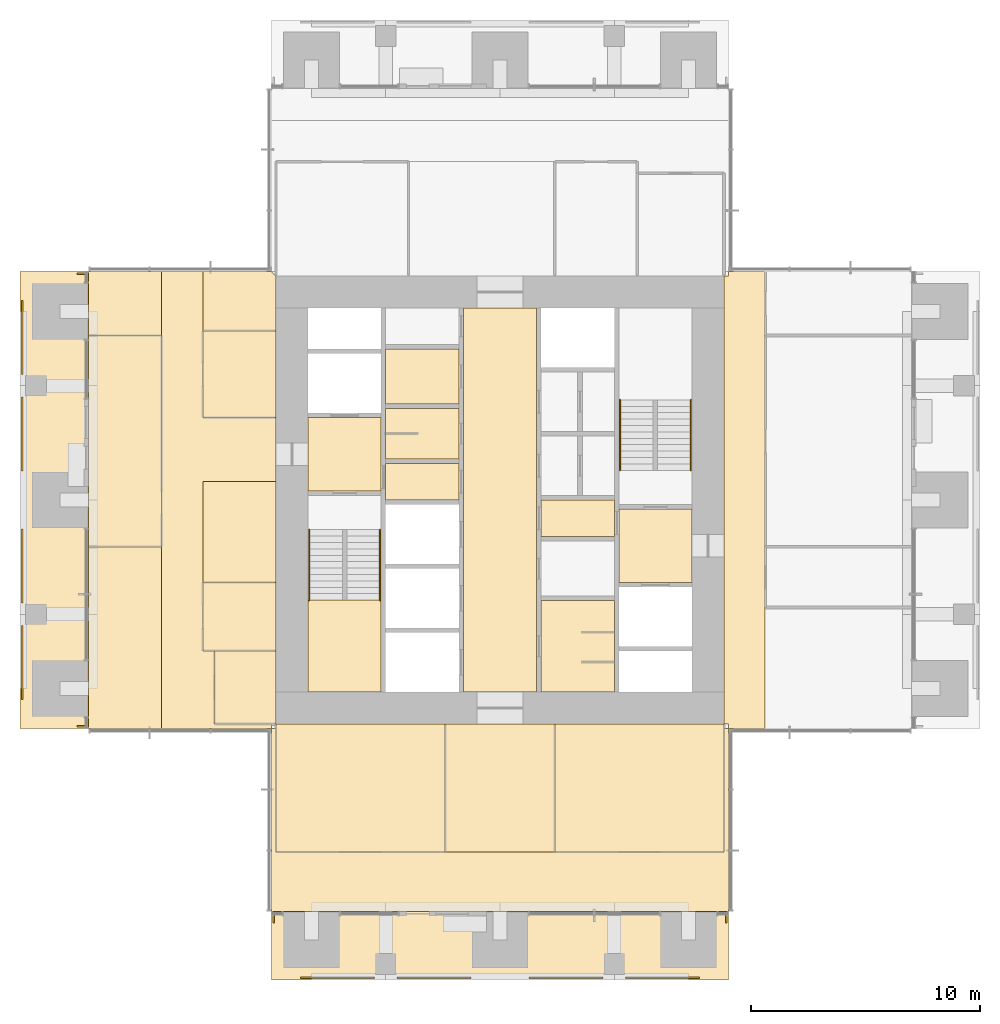
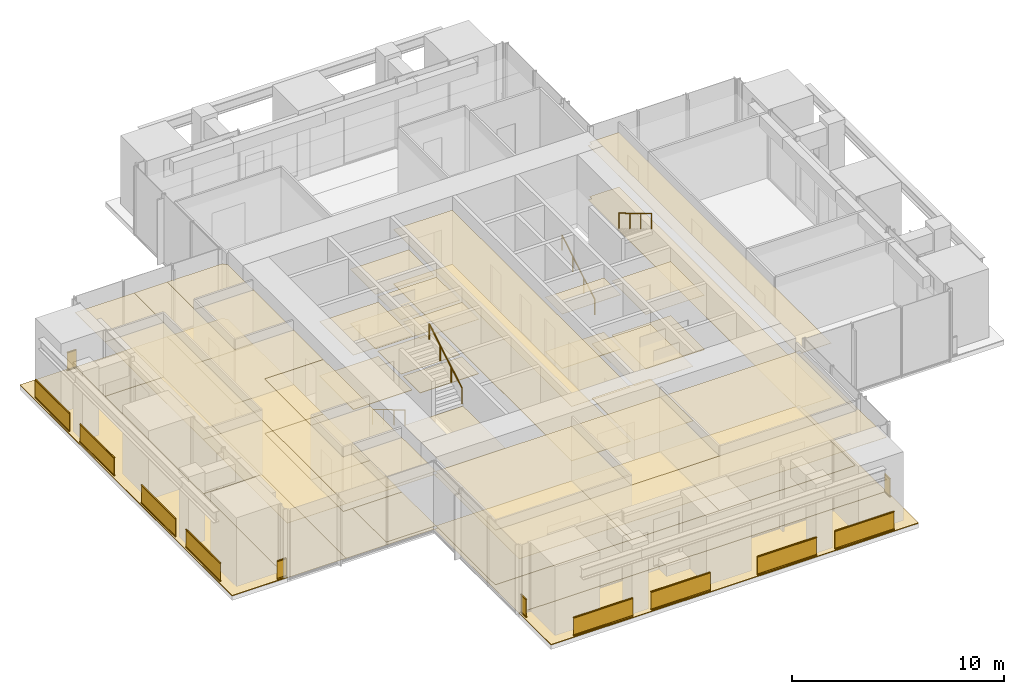
# One storey, part 15 of 17: 47 coverings, 16 railings.
"""IFC4 building model written with IfcOpenShell, lengths in metres."""

from ifc_helpers import new_model, si_unit, direction, frame, origin, origin_2d, place, context, subcontext, project, spatial, polyline, rectangle, circle, outline, extrude, material, layer, layer_set, type_object, element, save


model = new_model("IFC4")

# Units and contexts
model_context = context("Model", 3, precision=1e-05, world=origin(), true_north=direction((0.0, 1.0)))
body_context = subcontext(model_context, "Body", "Model", "MODEL_VIEW")
ifc_project = project(units=[si_unit("LENGTHUNIT", "METRE"), si_unit("AREAUNIT", "SQUARE_METRE"), si_unit("VOLUMEUNIT", "CUBIC_METRE"), si_unit("PLANEANGLEUNIT", "RADIAN"), si_unit("MASSUNIT", "GRAM", prefix="KILO")], contexts=[model_context])

# Site, building, storey
site_placement = place(None, origin())
site = spatial("IfcSite", under=ifc_project, at=site_placement, CompositionType="ELEMENT")
building_placement = place(site_placement, origin())
building = spatial("IfcBuilding", under=site, at=building_placement, Name="Svetlomir Tower", CompositionType="ELEMENT")
storey_placement = place(building_placement, frame((0.0, 0.0, 214.5)))
storey = spatial("IfcBuildingStorey", under=building, at=storey_placement, Name="L51", CompositionType="ELEMENT", Elevation=214.5)

# Railings
ifc_material_1 = material(Name="Bronze anodised aluminium and laminated glass", Category="aluminium")
railing_type_1 = type_object("IfcRailingType", Name="BALCONY GUARD GR1 1100", PredefinedType="GUARDRAIL", material=ifc_material_1)
for number, where, name in (
    (1, (12.27490234375, 0.10009765625, 0.0), "Loggia guard S L51 bay 1"),
    (2, (16.5, 0.10009765625, 0.0), "Loggia guard S L51 bay 2"),
    (3, (22.27490234375, 0.10009765625, 0.0), "Loggia guard S L51 bay 3"),
    (4, (26.5, 0.10009765625, 0.0), "Loggia guard S L51 bay 4"),
):
    element("IfcRailing", number, at=place(storey_placement, frame(where)), inside=storey, type_object=railing_type_1, Name=name, PredefinedType="GUARDRAIL", context=body_context, shape_type="SweptSolid", body=[
        extrude(rectangle(XDim=0.06005859375, YDim=0.10009765625, at=origin_2d()), frame((0.0, 0.0, 0.050048828125), z_axis=(1.0, 0.0, 0.0), x_axis=(0.0, 1.0, 0.0)), (0.0, 0.0, 1.0), 3.22509765625),
        extrude(rectangle(XDim=0.021484375, YDim=0.960205078125, at=origin_2d()), frame((0.0, 0.0, 0.580078125), z_axis=(1.0, 0.0, 0.0), x_axis=(0.0, 1.0, 0.0)), (0.0, 0.0, 1.0), 3.22509765625),
        extrude(rectangle(XDim=0.06005859375, YDim=0.0400390625, at=origin_2d()), frame((0.0, 0.0, 1.080078125), z_axis=(1.0, 0.0, 0.0), x_axis=(0.0, 1.0, 0.0)), (0.0, 0.0, 1.0), 3.22509765625),
    ])
for number, where, name in (
    (5, (11.10009765625, 2.5, 0.0), "Loggia guard S L51 end 1"),
    (6, (30.89990234375, 2.5, 0.0), "Loggia guard S L51 end 2"),
):
    element("IfcRailing", number, at=place(storey_placement, frame(where)), inside=storey, type_object=railing_type_1, Name=name, PredefinedType="GUARDRAIL", context=body_context, shape_type="SweptSolid", body=[
        extrude(rectangle(XDim=0.06005859375, YDim=0.10009765625, at=origin_2d()), frame((0.0, 0.0, 0.050048828125), z_axis=(0.0, 1.0, 0.0), x_axis=(-1.0, 0.0, 0.0)), (0.0, 0.0, 1.0), 0.5),
        extrude(rectangle(XDim=0.021484375, YDim=0.960205078125, at=origin_2d()), frame((0.0, 0.0, 0.580078125), z_axis=(0.0, 1.0, 0.0), x_axis=(-1.0, 0.0, 0.0)), (0.0, 0.0, 1.0), 0.5),
        extrude(rectangle(XDim=0.06005859375, YDim=0.0400390625, at=origin_2d()), frame((0.0, 0.0, 1.080078125), z_axis=(0.0, 1.0, 0.0), x_axis=(-1.0, 0.0, 0.0)), (0.0, 0.0, 1.0), 0.5),
    ])
for number, where, name in (
    (7, (0.10009765625, 12.27490234375, 0.0), "Loggia guard W L51 bay 1"),
    (8, (0.10009765625, 16.5, 0.0), "Loggia guard W L51 bay 2"),
    (9, (0.10009765625, 22.27490234375, 0.0), "Loggia guard W L51 bay 3"),
    (10, (0.10009765625, 26.5, 0.0), "Loggia guard W L51 bay 4"),
):
    element("IfcRailing", number, at=place(storey_placement, frame(where)), inside=storey, type_object=railing_type_1, Name=name, PredefinedType="GUARDRAIL", context=body_context, shape_type="SweptSolid", body=[
        extrude(rectangle(XDim=0.06005859375, YDim=0.10009765625, at=origin_2d()), frame((0.0, 0.0, 0.050048828125), z_axis=(0.0, 1.0, 0.0), x_axis=(-1.0, 0.0, 0.0)), (0.0, 0.0, 1.0), 3.22509765625),
        extrude(rectangle(XDim=0.021484375, YDim=0.960205078125, at=origin_2d()), frame((0.0, 0.0, 0.580078125), z_axis=(0.0, 1.0, 0.0), x_axis=(-1.0, 0.0, 0.0)), (0.0, 0.0, 1.0), 3.22509765625),
        extrude(rectangle(XDim=0.06005859375, YDim=0.0400390625, at=origin_2d()), frame((0.0, 0.0, 1.080078125), z_axis=(0.0, 1.0, 0.0), x_axis=(-1.0, 0.0, 0.0)), (0.0, 0.0, 1.0), 3.22509765625),
    ])
for number, where, name in (
    (11, (2.5, 11.10009765625, 0.0), "Loggia guard W L51 end 1"),
    (12, (2.5, 30.89990234375, 0.0), "Loggia guard W L51 end 2"),
):
    element("IfcRailing", number, at=place(storey_placement, frame(where)), inside=storey, type_object=railing_type_1, Name=name, PredefinedType="GUARDRAIL", context=body_context, shape_type="SweptSolid", body=[
        extrude(rectangle(XDim=0.06005859375, YDim=0.10009765625, at=origin_2d()), frame((0.0, 0.0, 0.050048828125), z_axis=(1.0, 0.0, 0.0), x_axis=(0.0, 1.0, 0.0)), (0.0, 0.0, 1.0), 0.5),
        extrude(rectangle(XDim=0.021484375, YDim=0.960205078125, at=origin_2d()), frame((0.0, 0.0, 0.580078125), z_axis=(1.0, 0.0, 0.0), x_axis=(0.0, 1.0, 0.0)), (0.0, 0.0, 1.0), 0.5),
        extrude(rectangle(XDim=0.06005859375, YDim=0.0400390625, at=origin_2d()), frame((0.0, 0.0, 1.080078125), z_axis=(1.0, 0.0, 0.0), x_axis=(0.0, 1.0, 0.0)), (0.0, 0.0, 1.0), 0.5),
    ])

# Coverings
ifc_material_2 = material(Name="Granite paving slabs on pedestals", Category="masonry")
ifc_layer_1 = layer(ifc_material_2, 0.0400390625)
ifc_layer_set_1 = layer_set([ifc_layer_1], Name="Granite paving slabs on pedestals")
covering_type_1 = type_object("IfcCoveringType", Name="BALCONY PAVING 40", PredefinedType="USERDEFINED", material=ifc_layer_set_1)
covering_1_placement = place(storey_placement, origin())
element("IfcCovering", 13, at=covering_1_placement, inside=storey, type_object=covering_type_1, Name="Loggia paving S L51", ObjectType="BALCONY PAVING", PredefinedType="USERDEFINED", context=body_context, shape_type="SweptSolid", body=[
    extrude(outline(polyline([(11.0, 0.0), (31.0, 0.0), (31.0, 3.0), (11.0, 3.0), (11.0, 0.0)])), origin(), (0.0, 0.0, 1.0), 0.0400390625),
])
covering_2_placement = place(storey_placement, origin())
element("IfcCovering", 14, at=covering_2_placement, inside=storey, type_object=covering_type_1, Name="Loggia paving W L51", ObjectType="BALCONY PAVING", PredefinedType="USERDEFINED", context=body_context, shape_type="SweptSolid", body=[
    extrude(outline(polyline([(0.0, 11.0), (3.0, 11.0), (3.0, 31.0), (0.0, 31.0), (0.0, 11.0)])), origin(), (0.0, 0.0, 1.0), 0.0400390625),
])
ifc_material_3 = material(Name="Carpet tile", Category="textile")
ifc_layer_2 = layer(ifc_material_3, 0.010009765625)
ifc_layer_set_2 = layer_set([ifc_layer_2], Name="Carpet tile")
covering_type_2 = type_object("IfcCoveringType", Name="CARPET TILE FLOOR 10", PredefinedType="FLOORING", material=ifc_layer_set_2)
covering_3_placement = place(storey_placement, origin())
element("IfcCovering", 15, at=covering_3_placement, inside=storey, type_object=covering_type_2, Name="Floor finish L51-17", PredefinedType="FLOORING", context=body_context, shape_type="SweptSolid", body=[
    extrude(outline(polyline([(11.199951171875, 5.60009765625), (18.60009765625, 5.60009765625), (18.60009765625, 11.199951171875), (11.199951171875, 11.199951171875), (11.199951171875, 5.60009765625)])), origin(), (0.0, 0.0, 1.0), 0.010009765625),
])
covering_4_placement = place(storey_placement, origin())
element("IfcCovering", 16, at=covering_4_placement, inside=storey, type_object=covering_type_2, Name="Floor finish L51-18", PredefinedType="FLOORING", context=body_context, shape_type="SweptSolid", body=[
    extrude(outline(polyline([(23.39990234375, 5.60009765625), (30.800048828125, 5.60009765625), (30.800048828125, 11.199951171875), (23.39990234375, 11.199951171875), (23.39990234375, 5.60009765625)])), origin(), (0.0, 0.0, 1.0), 0.010009765625),
])
covering_5_placement = place(storey_placement, origin())
element("IfcCovering", 17, at=covering_5_placement, inside=storey, type_object=covering_type_2, Name="Floor finish L51-25", PredefinedType="FLOORING", context=body_context, shape_type="SweptSolid", body=[
    extrude(outline(polyline([(8.5, 11.199951171875), (11.199951171875, 11.199951171875), (11.199951171875, 14.39990234375), (8.5, 14.39990234375), (8.5, 11.199951171875)])), origin(), (0.0, 0.0, 1.0), 0.010009765625),
])
covering_6_placement = place(storey_placement, origin())
element("IfcCovering", 18, at=covering_6_placement, inside=storey, type_object=covering_type_2, Name="Floor finish L51-26", PredefinedType="FLOORING", context=body_context, shape_type="SweptSolid", body=[
    extrude(outline(polyline([(8.0, 14.39990234375), (11.199951171875, 14.39990234375), (11.199951171875, 17.39990234375), (8.0, 17.39990234375), (8.0, 14.39990234375)])), origin(), (0.0, 0.0, 1.0), 0.010009765625),
])
covering_7_placement = place(storey_placement, origin())
element("IfcCovering", 19, at=covering_7_placement, inside=storey, type_object=covering_type_2, Name="Floor finish L51-27", PredefinedType="FLOORING", context=body_context, shape_type="SweptSolid", body=[
    extrude(outline(polyline([(8.0, 24.60009765625), (11.199951171875, 24.60009765625), (11.199951171875, 28.39990234375), (8.0, 28.39990234375), (8.0, 24.60009765625)])), origin(), (0.0, 0.0, 1.0), 0.010009765625),
])
covering_8_placement = place(storey_placement, origin())
element("IfcCovering", 20, at=covering_8_placement, inside=storey, type_object=covering_type_2, Name="Floor finish L51-28", PredefinedType="FLOORING", context=body_context, shape_type="SweptSolid", body=[
    extrude(outline(polyline([(3.0, 18.949951171875), (6.199951171875, 18.949951171875), (6.199951171875, 28.199951171875), (3.0, 28.199951171875), (3.0, 18.949951171875)])), origin(), (0.0, 0.0, 1.0), 0.010009765625),
])
covering_9_placement = place(storey_placement, origin())
element("IfcCovering", 21, at=covering_9_placement, inside=storey, type_object=covering_type_2, Name="Floor finish L51-29", PredefinedType="FLOORING", context=body_context, shape_type="SweptSolid", body=[
    extrude(outline(polyline([(6.199951171875, 11.0), (6.199951171875, 31.0), (8.0, 31.0), (8.0, 24.60009765625), (11.199951171875, 24.60009765625), (11.199951171875, 21.800048828125), (8.0, 21.800048828125), (8.0, 14.39990234375), (8.5, 14.39990234375), (8.5, 11.199951171875), (11.0, 11.199951171875), (11.0, 11.0), (6.199951171875, 11.0)])), origin(), (0.0, 0.0, 1.0), 0.010009765625),
])
covering_10_placement = place(storey_placement, origin())
element("IfcCovering", 22, at=covering_10_placement, inside=storey, type_object=covering_type_2, Name="Floor finish L51-30", PredefinedType="FLOORING", context=body_context, shape_type="SweptSolid", body=[
    extrude(outline(polyline([(11.199951171875, 5.60009765625), (30.800048828125, 5.60009765625), (30.800048828125, 11.0), (31.0, 11.0), (31.0, 3.0), (11.0, 3.0), (11.0, 11.0), (11.199951171875, 11.0), (11.199951171875, 5.60009765625)])), origin(), (0.0, 0.0, 1.0), 0.010009765625),
])
covering_11_placement = place(storey_placement, origin())
element("IfcCovering", 23, at=covering_11_placement, inside=storey, type_object=covering_type_2, Name="Floor finish L51-31", PredefinedType="FLOORING", context=body_context, shape_type="SweptSolid", body=[
    extrude(outline(polyline([(30.800048828125, 11.199951171875), (30.800048828125, 30.800048828125), (31.0, 30.800048828125), (31.0, 31.0), (32.60009765625, 31.0), (32.60009765625, 11.0), (31.0, 11.0), (31.0, 11.199951171875), (30.800048828125, 11.199951171875)])), origin(), (0.0, 0.0, 1.0), 0.010009765625),
])
covering_12_placement = place(storey_placement, origin())
element("IfcCovering", 24, at=covering_12_placement, inside=storey, type_object=covering_type_2, Name="Floor finish L51-33", PredefinedType="FLOORING", context=body_context, shape_type="SweptSolid", body=[
    extrude(outline(polyline([(23.39990234375, 11.199951171875), (23.39990234375, 5.60009765625), (18.60009765625, 5.60009765625), (18.60009765625, 11.199951171875), (23.39990234375, 11.199951171875)])), origin(), (0.0, 0.0, 1.0), 0.010009765625),
])
covering_13_placement = place(storey_placement, origin())
element("IfcCovering", 25, at=covering_13_placement, inside=storey, type_object=covering_type_2, Name="Floor finish L51-37", PredefinedType="FLOORING", context=body_context, shape_type="SweptSolid", body=[
    extrude(outline(polyline([(3.0, 18.949951171875), (6.199951171875, 18.949951171875), (6.199951171875, 11.0), (3.0, 11.0), (3.0, 18.949951171875)])), origin(), (0.0, 0.0, 1.0), 0.010009765625),
])
covering_14_placement = place(storey_placement, origin())
element("IfcCovering", 26, at=covering_14_placement, inside=storey, type_object=covering_type_2, Name="Floor finish L51-38", PredefinedType="FLOORING", context=body_context, shape_type="SweptSolid", body=[
    extrude(outline(polyline([(3.0, 31.0), (6.199951171875, 31.0), (6.199951171875, 28.199951171875), (3.0, 28.199951171875), (3.0, 31.0)])), origin(), (0.0, 0.0, 1.0), 0.010009765625),
])
covering_15_placement = place(storey_placement, origin())
element("IfcCovering", 27, at=covering_15_placement, inside=storey, type_object=covering_type_2, Name="Floor finish L51-39", PredefinedType="FLOORING", context=body_context, shape_type="SweptSolid", body=[
    extrude(outline(polyline([(11.199951171875, 28.39990234375), (8.0, 28.39990234375), (8.0, 31.0), (11.0, 31.0), (11.199951171875, 30.800048828125), (11.199951171875, 28.39990234375)])), origin(), (0.0, 0.0, 1.0), 0.010009765625),
])
covering_16_placement = place(storey_placement, origin())
element("IfcCovering", 28, at=covering_16_placement, inside=storey, type_object=covering_type_2, Name="Floor finish L51-40", PredefinedType="FLOORING", context=body_context, shape_type="SweptSolid", body=[
    extrude(outline(polyline([(8.0, 17.39990234375), (8.0, 21.800048828125), (11.199951171875, 21.800048828125), (11.199951171875, 17.39990234375), (8.0, 17.39990234375)])), origin(), (0.0, 0.0, 1.0), 0.010009765625),
])
ifc_material_4 = material(Name="Ceramic floor tile", Category="ceramic")
ifc_layer_3 = layer(ifc_material_4, 0.014892578125)
ifc_layer_set_3 = layer_set([ifc_layer_3], Name="Ceramic floor tile")
covering_type_3 = type_object("IfcCoveringType", Name="CERAMIC TILE FLOOR 15", PredefinedType="FLOORING", material=ifc_layer_set_3)
covering_17_placement = place(storey_placement, origin())
element("IfcCovering", 29, at=covering_17_placement, inside=storey, type_object=covering_type_3, Name="Floor finish L51-04", PredefinedType="FLOORING", context=body_context, shape_type="SweptSolid", body=[
    extrude(outline(polyline([(16.0, 22.800048828125), (19.199951171875, 22.800048828125), (19.199951171875, 25.0), (16.0, 25.0), (16.0, 22.800048828125)])), origin(), (0.0, 0.0, 1.0), 0.014892578125),
])
covering_18_placement = place(storey_placement, origin())
element("IfcCovering", 30, at=covering_18_placement, inside=storey, type_object=covering_type_3, Name="Floor finish L51-05", PredefinedType="FLOORING", context=body_context, shape_type="SweptSolid", body=[
    extrude(outline(polyline([(16.0, 25.199951171875), (19.199951171875, 25.199951171875), (19.199951171875, 27.60009765625), (16.0, 27.60009765625), (16.0, 25.199951171875)])), origin(), (0.0, 0.0, 1.0), 0.014892578125),
])
covering_19_placement = place(storey_placement, origin())
element("IfcCovering", 31, at=covering_19_placement, inside=storey, type_object=covering_type_3, Name="Floor finish L51-08", PredefinedType="FLOORING", context=body_context, shape_type="SweptSolid", body=[
    extrude(outline(polyline([(22.800048828125, 12.60009765625), (26.0, 12.60009765625), (26.0, 16.60009765625), (22.800048828125, 16.60009765625), (22.800048828125, 12.60009765625)])), origin(), (0.0, 0.0, 1.0), 0.014892578125),
])

# Railings
ifc_material_5 = material(Name="Stainless steel", Category="steel")
railing_type_2 = type_object("IfcRailingType", Name="HANDRAIL HR1 900", PredefinedType="HANDRAIL", material=ifc_material_5)
railing_1_placement = place(storey_placement, frame((12.64990234375, 19.699951171875, 0.166748046875)))
element("IfcRailing", 32, at=railing_1_placement, inside=storey, type_object=railing_type_2, Name="Handrail S1 flight 1 L51", PredefinedType="HANDRAIL", context=body_context, shape_type="SweptSolid", body=[
    extrude(circle(Radius=0.02392578125, at=origin_2d()), frame((0.0, 0.0, 0.8759765625), z_axis=(0.0, -0.859290745958, 0.51148745235), x_axis=(1.0, 0.0, 0.0)), (0.0, 0.0, 1.0), 3.584228515625),
    extrude(circle(Radius=0.02099609375, at=origin_2d()), origin(), (0.0, 0.0, 1.0), 0.851806640625),
    extrude(circle(Radius=0.02099609375, at=origin_2d()), frame((0.0, -1.026611328125, 0.611083984375)), (0.0, 0.0, 1.0), 0.851806640625),
    extrude(circle(Radius=0.02099609375, at=origin_2d()), frame((0.0, -2.05322265625, 1.22216796875)), (0.0, 0.0, 1.0), 0.851806640625),
    extrude(circle(Radius=0.02099609375, at=origin_2d()), frame((0.0, -3.079833984375, 1.833251953125)), (0.0, 0.0, 1.0), 0.851806640625),
])
for number, where, name in (
    (33, (15.75, 16.6201171875, 2.166748046875), "Handrail S1 flight 2 L51"),
    (34, (26.25, 22.300048828125, 0.166748046875), "Handrail S2 flight 1 L51"),
):
    element("IfcRailing", number, at=place(storey_placement, frame(where)), inside=storey, type_object=railing_type_2, Name=name, PredefinedType="HANDRAIL", context=body_context, shape_type="SweptSolid", body=[
        extrude(circle(Radius=0.02392578125, at=origin_2d()), frame((0.0, 0.0, 0.8759765625), z_axis=(0.0, 0.859290745958, 0.51148745235), x_axis=(-1.0, 0.0, 0.0)), (0.0, 0.0, 1.0), 3.584228515625),
        extrude(circle(Radius=0.02099609375, at=origin_2d()), origin(), (0.0, 0.0, 1.0), 0.851806640625),
        extrude(circle(Radius=0.02099609375, at=origin_2d()), frame((0.0, 1.026611328125, 0.611083984375)), (0.0, 0.0, 1.0), 0.851806640625),
        extrude(circle(Radius=0.02099609375, at=origin_2d()), frame((0.0, 2.05322265625, 1.22216796875)), (0.0, 0.0, 1.0), 0.851806640625),
        extrude(circle(Radius=0.02099609375, at=origin_2d()), frame((0.0, 3.079833984375, 1.833251953125)), (0.0, 0.0, 1.0), 0.851806640625),
    ])
railing_2_placement = place(storey_placement, frame((29.35009765625, 25.3798828125, 2.166748046875)))
element("IfcRailing", 35, at=railing_2_placement, inside=storey, type_object=railing_type_2, Name="Handrail S2 flight 2 L51", PredefinedType="HANDRAIL", context=body_context, shape_type="SweptSolid", body=[
    extrude(circle(Radius=0.02392578125, at=origin_2d()), frame((0.0, 0.0, 0.8759765625), z_axis=(0.0, -0.859290745958, 0.51148745235), x_axis=(1.0, 0.0, 0.0)), (0.0, 0.0, 1.0), 3.584228515625),
    extrude(circle(Radius=0.02099609375, at=origin_2d()), origin(), (0.0, 0.0, 1.0), 0.851806640625),
    extrude(circle(Radius=0.02099609375, at=origin_2d()), frame((0.0, -1.026611328125, 0.611083984375)), (0.0, 0.0, 1.0), 0.851806640625),
    extrude(circle(Radius=0.02099609375, at=origin_2d()), frame((0.0, -2.05322265625, 1.22216796875)), (0.0, 0.0, 1.0), 0.851806640625),
    extrude(circle(Radius=0.02099609375, at=origin_2d()), frame((0.0, -3.079833984375, 1.833251953125)), (0.0, 0.0, 1.0), 0.851806640625),
])

# Coverings
ifc_material_6 = material(Name="Moisture resistant plasterboard ceiling", Category="gypsum")
ifc_layer_4 = layer(ifc_material_6, 0.012451171875)
ifc_layer_set_4 = layer_set([ifc_layer_4], Name="Moisture resistant plasterboard ceiling")
covering_type_4 = type_object("IfcCoveringType", Name="MOISTURE RESISTANT CEILING 12.5", PredefinedType="CEILING", material=ifc_layer_set_4)
covering_20_placement = place(storey_placement, frame((0.0, 0.0, 3.137451171875)))
element("IfcCovering", 36, at=covering_20_placement, inside=storey, type_object=covering_type_4, Name="Ceiling L51-04", PredefinedType="CEILING", context=body_context, shape_type="SweptSolid", body=[
    extrude(outline(polyline([(16.0, 22.800048828125), (19.199951171875, 22.800048828125), (19.199951171875, 25.0), (16.0, 25.0), (16.0, 22.800048828125)])), origin(), (0.0, 0.0, 1.0), 0.012451171875),
])
covering_21_placement = place(storey_placement, frame((0.0, 0.0, 3.137451171875)))
element("IfcCovering", 37, at=covering_21_placement, inside=storey, type_object=covering_type_4, Name="Ceiling L51-05", PredefinedType="CEILING", context=body_context, shape_type="SweptSolid", body=[
    extrude(outline(polyline([(16.0, 25.199951171875), (19.199951171875, 25.199951171875), (19.199951171875, 27.60009765625), (16.0, 27.60009765625), (16.0, 25.199951171875)])), origin(), (0.0, 0.0, 1.0), 0.012451171875),
])
covering_22_placement = place(storey_placement, frame((0.0, 0.0, 3.137451171875)))
element("IfcCovering", 38, at=covering_22_placement, inside=storey, type_object=covering_type_4, Name="Ceiling L51-08", PredefinedType="CEILING", context=body_context, shape_type="SweptSolid", body=[
    extrude(outline(polyline([(22.800048828125, 12.60009765625), (26.0, 12.60009765625), (26.0, 16.60009765625), (22.800048828125, 16.60009765625), (22.800048828125, 12.60009765625)])), origin(), (0.0, 0.0, 1.0), 0.012451171875),
])
ifc_material_7 = material(Name="Gypsum plasterboard ceiling", Category="gypsum")
ifc_layer_5 = layer(ifc_material_7, 0.014892578125)
ifc_layer_set_5 = layer_set([ifc_layer_5], Name="Gypsum plasterboard ceiling")
covering_type_5 = type_object("IfcCoveringType", Name="PLASTERBOARD CEILING 15", PredefinedType="CEILING", material=ifc_layer_set_5)
covering_23_placement = place(storey_placement, frame((0.0, 0.0, 3.135009765625)))
element("IfcCovering", 39, at=covering_23_placement, inside=storey, type_object=covering_type_5, Name="Ceiling L51-02", PredefinedType="CEILING", context=body_context, shape_type="SweptSolid", body=[
    extrude(outline(polyline([(12.60009765625, 21.39990234375), (15.800048828125, 21.39990234375), (15.800048828125, 24.60009765625), (12.60009765625, 24.60009765625), (12.60009765625, 21.39990234375)])), origin(), (0.0, 0.0, 1.0), 0.014892578125),
])
covering_24_placement = place(storey_placement, frame((0.0, 0.0, 3.135009765625)))
element("IfcCovering", 40, at=covering_24_placement, inside=storey, type_object=covering_type_5, Name="Ceiling L51-03", PredefinedType="CEILING", context=body_context, shape_type="SweptSolid", body=[
    extrude(outline(polyline([(16.0, 21.0), (19.199951171875, 21.0), (19.199951171875, 22.60009765625), (16.0, 22.60009765625), (16.0, 21.0)])), origin(), (0.0, 0.0, 1.0), 0.014892578125),
])
covering_25_placement = place(storey_placement, frame((0.0, 0.0, 3.135009765625)))
element("IfcCovering", 41, at=covering_25_placement, inside=storey, type_object=covering_type_5, Name="Ceiling L51-07", PredefinedType="CEILING", context=body_context, shape_type="SweptSolid", body=[
    extrude(outline(polyline([(19.39990234375, 12.60009765625), (22.60009765625, 12.60009765625), (22.60009765625, 29.39990234375), (19.39990234375, 29.39990234375), (19.39990234375, 12.60009765625)])), origin(), (0.0, 0.0, 1.0), 0.014892578125),
])
covering_26_placement = place(storey_placement, frame((0.0, 0.0, 3.135009765625)))
element("IfcCovering", 42, at=covering_26_placement, inside=storey, type_object=covering_type_5, Name="Ceiling L51-10", PredefinedType="CEILING", context=body_context, shape_type="SweptSolid", body=[
    extrude(outline(polyline([(22.800048828125, 19.39990234375), (26.0, 19.39990234375), (26.0, 21.0), (22.800048828125, 21.0), (22.800048828125, 19.39990234375)])), origin(), (0.0, 0.0, 1.0), 0.014892578125),
])
covering_27_placement = place(storey_placement, frame((0.0, 0.0, 3.135009765625)))
element("IfcCovering", 43, at=covering_27_placement, inside=storey, type_object=covering_type_5, Name="Ceiling L51-11", PredefinedType="CEILING", context=body_context, shape_type="SweptSolid", body=[
    extrude(outline(polyline([(26.199951171875, 17.39990234375), (29.39990234375, 17.39990234375), (29.39990234375, 20.60009765625), (26.199951171875, 20.60009765625), (26.199951171875, 17.39990234375)])), origin(), (0.0, 0.0, 1.0), 0.014892578125),
])
ifc_material_8 = material(Name="Studded rubber floor finish", Category="rubber")
ifc_layer_6 = layer(ifc_material_8, 0.006103515625)
ifc_layer_set_6 = layer_set([ifc_layer_6], Name="Studded rubber floor finish")
covering_type_6 = type_object("IfcCoveringType", Name="RUBBER LANDING FINISH 6", PredefinedType="FLOORING", material=ifc_layer_set_6)
covering_28_placement = place(storey_placement, frame((0.0, 0.0, 2.0)))
element("IfcCovering", 44, at=covering_28_placement, inside=storey, type_object=covering_type_6, Name="Stair S1 landing finish L51", PredefinedType="FLOORING", context=body_context, shape_type="SweptSolid", body=[
    extrude(outline(polyline([(12.60009765625, 12.60009765625), (15.800048828125, 12.60009765625), (15.800048828125, 16.6201171875), (12.60009765625, 16.6201171875), (12.60009765625, 12.60009765625)])), origin(), (0.0, 0.0, 1.0), 0.006103515625),
])
ifc_material_9 = material(Name="Mineral fibre ceiling tile", Category="mineral")
ifc_layer_7 = layer(ifc_material_9, 0.02001953125)
ifc_layer_set_7 = layer_set([ifc_layer_7], Name="Mineral fibre ceiling tile")
covering_type_7 = type_object("IfcCoveringType", Name="SUSPENDED CEILING 20", PredefinedType="CEILING", material=ifc_layer_set_7)
covering_29_placement = place(storey_placement, frame((0.0, 0.0, 3.1298828125)))
element("IfcCovering", 45, at=covering_29_placement, inside=storey, type_object=covering_type_7, Name="Ceiling L51-17", PredefinedType="CEILING", context=body_context, shape_type="SweptSolid", body=[
    extrude(outline(polyline([(11.199951171875, 5.60009765625), (18.60009765625, 5.60009765625), (18.60009765625, 11.199951171875), (11.199951171875, 11.199951171875), (11.199951171875, 5.60009765625)])), origin(), (0.0, 0.0, 1.0), 0.02001953125),
])
covering_30_placement = place(storey_placement, frame((0.0, 0.0, 3.1298828125)))
element("IfcCovering", 46, at=covering_30_placement, inside=storey, type_object=covering_type_7, Name="Ceiling L51-18", PredefinedType="CEILING", context=body_context, shape_type="SweptSolid", body=[
    extrude(outline(polyline([(23.39990234375, 5.60009765625), (30.800048828125, 5.60009765625), (30.800048828125, 11.199951171875), (23.39990234375, 11.199951171875), (23.39990234375, 5.60009765625)])), origin(), (0.0, 0.0, 1.0), 0.02001953125),
])
covering_31_placement = place(storey_placement, frame((0.0, 0.0, 3.1298828125)))
element("IfcCovering", 47, at=covering_31_placement, inside=storey, type_object=covering_type_7, Name="Ceiling L51-25", PredefinedType="CEILING", context=body_context, shape_type="SweptSolid", body=[
    extrude(outline(polyline([(8.5, 11.199951171875), (11.199951171875, 11.199951171875), (11.199951171875, 14.39990234375), (8.5, 14.39990234375), (8.5, 11.199951171875)])), origin(), (0.0, 0.0, 1.0), 0.02001953125),
])
covering_32_placement = place(storey_placement, frame((0.0, 0.0, 3.1298828125)))
element("IfcCovering", 48, at=covering_32_placement, inside=storey, type_object=covering_type_7, Name="Ceiling L51-26", PredefinedType="CEILING", context=body_context, shape_type="SweptSolid", body=[
    extrude(outline(polyline([(8.0, 14.39990234375), (11.199951171875, 14.39990234375), (11.199951171875, 17.39990234375), (8.0, 17.39990234375), (8.0, 14.39990234375)])), origin(), (0.0, 0.0, 1.0), 0.02001953125),
])
covering_33_placement = place(storey_placement, frame((0.0, 0.0, 3.1298828125)))
element("IfcCovering", 49, at=covering_33_placement, inside=storey, type_object=covering_type_7, Name="Ceiling L51-27", PredefinedType="CEILING", context=body_context, shape_type="SweptSolid", body=[
    extrude(outline(polyline([(8.0, 24.60009765625), (11.199951171875, 24.60009765625), (11.199951171875, 28.39990234375), (8.0, 28.39990234375), (8.0, 24.60009765625)])), origin(), (0.0, 0.0, 1.0), 0.02001953125),
])
covering_34_placement = place(storey_placement, frame((0.0, 0.0, 3.1298828125)))
element("IfcCovering", 50, at=covering_34_placement, inside=storey, type_object=covering_type_7, Name="Ceiling L51-28", PredefinedType="CEILING", context=body_context, shape_type="SweptSolid", body=[
    extrude(outline(polyline([(3.0, 18.949951171875), (6.199951171875, 18.949951171875), (6.199951171875, 28.199951171875), (3.0, 28.199951171875), (3.0, 18.949951171875)])), origin(), (0.0, 0.0, 1.0), 0.02001953125),
])
covering_35_placement = place(storey_placement, frame((0.0, 0.0, 3.1298828125)))
element("IfcCovering", 51, at=covering_35_placement, inside=storey, type_object=covering_type_7, Name="Ceiling L51-29", PredefinedType="CEILING", context=body_context, shape_type="SweptSolid", body=[
    extrude(outline(polyline([(6.199951171875, 11.0), (6.199951171875, 31.0), (8.0, 31.0), (8.0, 24.60009765625), (11.199951171875, 24.60009765625), (11.199951171875, 21.800048828125), (8.0, 21.800048828125), (8.0, 14.39990234375), (8.5, 14.39990234375), (8.5, 11.199951171875), (11.0, 11.199951171875), (11.0, 11.0), (6.199951171875, 11.0)])), origin(), (0.0, 0.0, 1.0), 0.02001953125),
])
covering_36_placement = place(storey_placement, frame((0.0, 0.0, 3.1298828125)))
element("IfcCovering", 52, at=covering_36_placement, inside=storey, type_object=covering_type_7, Name="Ceiling L51-30", PredefinedType="CEILING", context=body_context, shape_type="SweptSolid", body=[
    extrude(outline(polyline([(11.199951171875, 5.60009765625), (30.800048828125, 5.60009765625), (30.800048828125, 11.0), (31.0, 11.0), (31.0, 3.0), (11.0, 3.0), (11.0, 11.0), (11.199951171875, 11.0), (11.199951171875, 5.60009765625)])), origin(), (0.0, 0.0, 1.0), 0.02001953125),
])
covering_37_placement = place(storey_placement, frame((0.0, 0.0, 3.1298828125)))
element("IfcCovering", 53, at=covering_37_placement, inside=storey, type_object=covering_type_7, Name="Ceiling L51-31", PredefinedType="CEILING", context=body_context, shape_type="SweptSolid", body=[
    extrude(outline(polyline([(30.800048828125, 11.199951171875), (30.800048828125, 30.800048828125), (31.0, 30.800048828125), (31.0, 31.0), (32.60009765625, 31.0), (32.60009765625, 11.0), (31.0, 11.0), (31.0, 11.199951171875), (30.800048828125, 11.199951171875)])), origin(), (0.0, 0.0, 1.0), 0.02001953125),
])
covering_38_placement = place(storey_placement, frame((0.0, 0.0, 3.1298828125)))
element("IfcCovering", 54, at=covering_38_placement, inside=storey, type_object=covering_type_7, Name="Ceiling L51-33", PredefinedType="CEILING", context=body_context, shape_type="SweptSolid", body=[
    extrude(outline(polyline([(23.39990234375, 11.199951171875), (23.39990234375, 5.60009765625), (18.60009765625, 5.60009765625), (18.60009765625, 11.199951171875), (23.39990234375, 11.199951171875)])), origin(), (0.0, 0.0, 1.0), 0.02001953125),
])
covering_39_placement = place(storey_placement, frame((0.0, 0.0, 3.1298828125)))
element("IfcCovering", 55, at=covering_39_placement, inside=storey, type_object=covering_type_7, Name="Ceiling L51-37", PredefinedType="CEILING", context=body_context, shape_type="SweptSolid", body=[
    extrude(outline(polyline([(3.0, 18.949951171875), (6.199951171875, 18.949951171875), (6.199951171875, 11.0), (3.0, 11.0), (3.0, 18.949951171875)])), origin(), (0.0, 0.0, 1.0), 0.02001953125),
])
covering_40_placement = place(storey_placement, frame((0.0, 0.0, 3.1298828125)))
element("IfcCovering", 56, at=covering_40_placement, inside=storey, type_object=covering_type_7, Name="Ceiling L51-38", PredefinedType="CEILING", context=body_context, shape_type="SweptSolid", body=[
    extrude(outline(polyline([(3.0, 31.0), (6.199951171875, 31.0), (6.199951171875, 28.199951171875), (3.0, 28.199951171875), (3.0, 31.0)])), origin(), (0.0, 0.0, 1.0), 0.02001953125),
])
covering_41_placement = place(storey_placement, frame((0.0, 0.0, 3.1298828125)))
element("IfcCovering", 57, at=covering_41_placement, inside=storey, type_object=covering_type_7, Name="Ceiling L51-39", PredefinedType="CEILING", context=body_context, shape_type="SweptSolid", body=[
    extrude(outline(polyline([(11.199951171875, 28.39990234375), (8.0, 28.39990234375), (8.0, 31.0), (11.0, 31.0), (11.199951171875, 30.800048828125), (11.199951171875, 28.39990234375)])), origin(), (0.0, 0.0, 1.0), 0.02001953125),
])
covering_42_placement = place(storey_placement, frame((0.0, 0.0, 3.1298828125)))
element("IfcCovering", 58, at=covering_42_placement, inside=storey, type_object=covering_type_7, Name="Ceiling L51-40", PredefinedType="CEILING", context=body_context, shape_type="SweptSolid", body=[
    extrude(outline(polyline([(8.0, 17.39990234375), (8.0, 21.800048828125), (11.199951171875, 21.800048828125), (11.199951171875, 17.39990234375), (8.0, 17.39990234375)])), origin(), (0.0, 0.0, 1.0), 0.02001953125),
])
ifc_material_10 = material(Name="Bronze-aggregate terrazzo", Category="stone")
ifc_layer_8 = layer(ifc_material_10, 0.030029296875)
ifc_layer_set_8 = layer_set([ifc_layer_8], Name="Bronze-aggregate terrazzo")
covering_type_8 = type_object("IfcCoveringType", Name="TERRAZZO FLOOR 30", PredefinedType="FLOORING", material=ifc_layer_set_8)
covering_43_placement = place(storey_placement, origin())
element("IfcCovering", 59, at=covering_43_placement, inside=storey, type_object=covering_type_8, Name="Floor finish L51-02", PredefinedType="FLOORING", context=body_context, shape_type="SweptSolid", body=[
    extrude(outline(polyline([(12.60009765625, 21.39990234375), (15.800048828125, 21.39990234375), (15.800048828125, 24.60009765625), (12.60009765625, 24.60009765625), (12.60009765625, 21.39990234375)])), origin(), (0.0, 0.0, 1.0), 0.030029296875),
])
covering_44_placement = place(storey_placement, origin())
element("IfcCovering", 60, at=covering_44_placement, inside=storey, type_object=covering_type_8, Name="Floor finish L51-03", PredefinedType="FLOORING", context=body_context, shape_type="SweptSolid", body=[
    extrude(outline(polyline([(16.0, 21.0), (19.199951171875, 21.0), (19.199951171875, 22.60009765625), (16.0, 22.60009765625), (16.0, 21.0)])), origin(), (0.0, 0.0, 1.0), 0.030029296875),
])
covering_45_placement = place(storey_placement, origin())
element("IfcCovering", 61, at=covering_45_placement, inside=storey, type_object=covering_type_8, Name="Floor finish L51-07", PredefinedType="FLOORING", context=body_context, shape_type="SweptSolid", body=[
    extrude(outline(polyline([(19.39990234375, 12.60009765625), (22.60009765625, 12.60009765625), (22.60009765625, 29.39990234375), (19.39990234375, 29.39990234375), (19.39990234375, 12.60009765625)])), origin(), (0.0, 0.0, 1.0), 0.030029296875),
])
covering_46_placement = place(storey_placement, origin())
element("IfcCovering", 62, at=covering_46_placement, inside=storey, type_object=covering_type_8, Name="Floor finish L51-10", PredefinedType="FLOORING", context=body_context, shape_type="SweptSolid", body=[
    extrude(outline(polyline([(22.800048828125, 19.39990234375), (26.0, 19.39990234375), (26.0, 21.0), (22.800048828125, 21.0), (22.800048828125, 19.39990234375)])), origin(), (0.0, 0.0, 1.0), 0.030029296875),
])
covering_47_placement = place(storey_placement, origin())
element("IfcCovering", 63, at=covering_47_placement, inside=storey, type_object=covering_type_8, Name="Floor finish L51-11", PredefinedType="FLOORING", context=body_context, shape_type="SweptSolid", body=[
    extrude(outline(polyline([(26.199951171875, 17.39990234375), (29.39990234375, 17.39990234375), (29.39990234375, 20.60009765625), (26.199951171875, 20.60009765625), (26.199951171875, 17.39990234375)])), origin(), (0.0, 0.0, 1.0), 0.030029296875),
])

save(model, "model.ifc")
